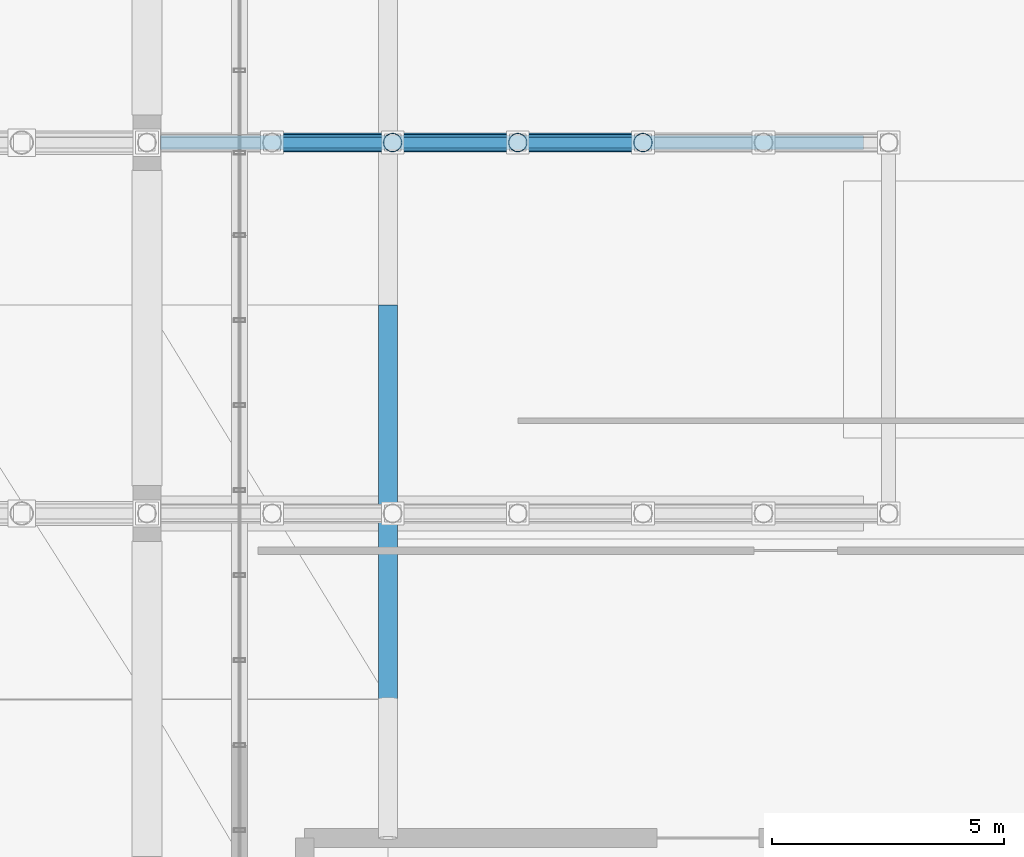
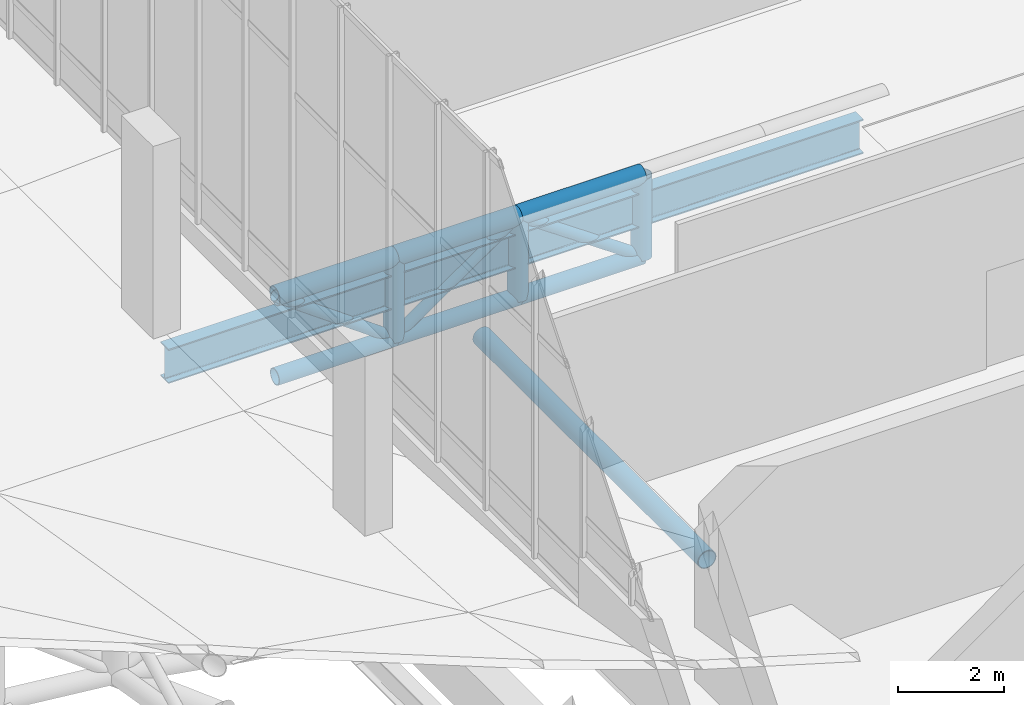
# One storey, part 18 of 137: 13 members, 1 beam.
"""IFC4 building model written with IfcOpenShell, lengths in metres."""

from ifc_helpers import new_model, si_unit, direction, frame, origin, origin_2d, place, context, subcontext, project, spatial, hollow_circle, i_section, extrude, material, material_profile, profile_set, type_object, element, save


model = new_model("IFC4")

# Units and contexts
model_context = context("Model", 3, precision=1e-05, world=origin(), true_north=direction((0.0, 1.0)))
body_context = subcontext(model_context, "Body", "Model", "MODEL_VIEW")
ifc_project = project(units=[si_unit("LENGTHUNIT", "METRE"), si_unit("AREAUNIT", "SQUARE_METRE"), si_unit("VOLUMEUNIT", "CUBIC_METRE"), si_unit("PLANEANGLEUNIT", "RADIAN"), si_unit("MASSUNIT", "GRAM", prefix="KILO")], contexts=[model_context])

# Site, building, storey
site_placement = place(None, origin())
site = spatial("IfcSite", under=ifc_project, at=site_placement, CompositionType="ELEMENT")
building_placement = place(site_placement, origin())
building = spatial("IfcBuilding", under=site, at=building_placement, Name="Khorjan Park Terminus", CompositionType="ELEMENT")
storey_placement = place(building_placement, frame((0.0, 0.0, 11.4)))
storey = spatial("IfcBuildingStorey", under=building, at=storey_placement, Name="L02", CompositionType="ELEMENT", Elevation=11.4)

# Beam
ifc_material = material(Name="Steel S355", Category="steel")
ifc_material_profile_1 = material_profile(ifc_material, i_section(OverallWidth=0.3, OverallDepth=0.79, WebThickness=0.015, FlangeThickness=0.028, FilletRadius=0.03, at=origin_2d()), Name="HEA 800")
ifc_profile_set_1 = profile_set([ifc_material_profile_1], Name="Steel S355")
beam_type = type_object("IfcBeamType", Name="BM-HEA800", PredefinedType="BEAM", material=ifc_profile_set_1)
beam_placement = place(storey_placement, frame((48.295, 52.0, -0.755), z_axis=(1.0, 0.0, 0.0), x_axis=(0.0, 1.0, 0.0)))
element("IfcBeam", 1, at=beam_placement, inside=storey, type_object=beam_type, Name="Primary floor girder SB-A80 (L02)", PredefinedType="BEAM", context=body_context, shape_type="SweptSolid", body=[
    extrude(i_section(OverallWidth=0.3, OverallDepth=0.79, WebThickness=0.015, FlangeThickness=0.028, FilletRadius=0.03, at=origin_2d()), origin(), (0.0, 0.0, 1.0), 15.16),
])

# Members
ifc_material_profile_2 = material_profile(ifc_material, hollow_circle(Radius=0.1222, WallThickness=0.0125, at=origin_2d()), Name="CHS 244.5x12.5")
ifc_profile_set_2 = profile_set([ifc_material_profile_2], Name="Steel S355")
member_type_1 = type_object("IfcMemberType", Name="MB-BR-245", PredefinedType="BRACE", material=ifc_profile_set_2)
member_1_placement = place(storey_placement, frame((50.7, 52.0, -0.05), z_axis=(0.811830357573, 0.0, -0.583893372562), x_axis=(0.0, 1.0, 0.0)))
element("IfcMember", 2, at=member_1_placement, inside=storey, type_object=member_type_1, Name="Lower shell W/E truss diagonal (W2)", PredefinedType="BRACE", context=body_context, shape_type="SweptSolid", body=[
    extrude(hollow_circle(Radius=0.1222, WallThickness=0.0125, at=origin_2d()), origin(), (0.0, 0.0, 1.0), 3.2026),
])
for number, where, z_axis, x_axis, name in (
    (3, (53.3, 52.0, -1.92), (0.822082565391, 0.0, 0.569368295289), (0.0, 1.0, 0.0), "Lower shell W/E truss diagonal (W2)"),
    (4, (56.0, 52.0, -0.05), (0.822082565391, 0.0, -0.569368295289), (0.0, 1.0, 0.0), "Lower shell W/E truss diagonal (W2)"),
):
    element("IfcMember", number, at=place(storey_placement, frame(where, z_axis=z_axis, x_axis=x_axis)), inside=storey, type_object=member_type_1, Name=name, PredefinedType="BRACE", context=body_context, shape_type="SweptSolid", body=[
        extrude(hollow_circle(Radius=0.1222, WallThickness=0.0125, at=origin_2d()), origin(), (0.0, 0.0, 1.0), 3.2843),
    ])
ifc_material_profile_3 = material_profile(ifc_material, hollow_circle(Radius=0.1778, WallThickness=0.016, at=origin_2d()), Name="CHS 355.6x16")
ifc_profile_set_3 = profile_set([ifc_material_profile_3], Name="Steel S355")
member_type_2 = type_object("IfcMemberType", Name="MB-CH-356", PredefinedType="CHORD", material=ifc_profile_set_3)
member_2_placement = place(storey_placement, frame((50.7, 52.0, -1.92), z_axis=(1.0, 0.0, 0.0), x_axis=(0.0, 1.0, 0.0)))
element("IfcMember", 5, at=member_2_placement, inside=storey, type_object=member_type_2, Name="Lower shell W/E truss bottom chord (W2)", PredefinedType="CHORD", context=body_context, shape_type="SweptSolid", body=[
    extrude(hollow_circle(Radius=0.1778, WallThickness=0.016, at=origin_2d()), origin(), (0.0, 0.0, 1.0), 2.6),
])
for number, where, z_axis, x_axis, name in (
    (6, (53.3, 52.0, -1.92), (1.0, 0.0, 0.0), (0.0, 1.0, 0.0), "Lower shell W/E truss bottom chord (W2)"),
    (7, (56.0, 52.0, -1.92), (1.0, 0.0, 0.0), (0.0, 1.0, 0.0), "Lower shell W/E truss bottom chord (W2)"),
):
    element("IfcMember", number, at=place(storey_placement, frame(where, z_axis=z_axis, x_axis=x_axis)), inside=storey, type_object=member_type_2, Name=name, PredefinedType="CHORD", context=body_context, shape_type="SweptSolid", body=[
        extrude(hollow_circle(Radius=0.1778, WallThickness=0.016, at=origin_2d()), origin(), (0.0, 0.0, 1.0), 2.7),
    ])
ifc_material_profile_4 = material_profile(ifc_material, hollow_circle(Radius=0.2032, WallThickness=0.016, at=origin_2d()), Name="CHS 406.4x16")
ifc_profile_set_4 = profile_set([ifc_material_profile_4], Name="Steel S355")
member_type_3 = type_object("IfcMemberType", Name="MB-CH-406", PredefinedType="CHORD", material=ifc_profile_set_4)
member_3_placement = place(storey_placement, frame((53.2, 40.0, 0.266), z_axis=(0.0, 1.0, 0.0), x_axis=(-1.0, 0.0, 0.0)))
element("IfcMember", 8, at=member_3_placement, inside=storey, type_object=member_type_3, Name="Lower wrapping shell rim chord (130)", PredefinedType="CHORD", context=body_context, shape_type="SweptSolid", body=[
    extrude(hollow_circle(Radius=0.2032, WallThickness=0.016, at=origin_2d()), origin(), (0.0, 0.0, 1.0), 8.5),
])
member_4_placement = place(storey_placement, frame((50.7, 52.0, -0.05), z_axis=(1.0, 0.0, 0.0), x_axis=(0.0, 1.0, 0.0)))
element("IfcMember", 9, at=member_4_placement, inside=storey, type_object=member_type_3, Name="Lower shell W/E truss top chord (W2)", PredefinedType="CHORD", context=body_context, shape_type="SweptSolid", body=[
    extrude(hollow_circle(Radius=0.2032, WallThickness=0.016, at=origin_2d()), origin(), (0.0, 0.0, 1.0), 2.6),
])
for number, where, z_axis, x_axis, name in (
    (10, (53.3, 52.0, -0.05), (1.0, 0.0, 0.0), (0.0, 1.0, 0.0), "Lower shell W/E truss top chord (W2)"),
    (11, (56.0, 52.0, -0.05), (1.0, 0.0, 0.0), (0.0, 1.0, 0.0), "Lower shell W/E truss top chord (W2)"),
):
    element("IfcMember", number, at=place(storey_placement, frame(where, z_axis=z_axis, x_axis=x_axis)), inside=storey, type_object=member_type_3, Name=name, PredefinedType="CHORD", context=body_context, shape_type="SweptSolid", body=[
        extrude(hollow_circle(Radius=0.2032, WallThickness=0.016, at=origin_2d()), origin(), (0.0, 0.0, 1.0), 2.7),
    ])
ifc_material_profile_5 = material_profile(ifc_material, hollow_circle(Radius=0.2032, WallThickness=0.016, at=origin_2d()), Name="CHS 406.4x16")
ifc_profile_set_5 = profile_set([ifc_material_profile_5], Name="Steel S355")
member_type_4 = type_object("IfcMemberType", Name="MB-ST-406", PredefinedType="STRUT", material=ifc_profile_set_5)
for number, where, z_axis, x_axis, name in (
    (12, (53.3, 52.0, -1.92), (0.0, 0.0, 1.0), (1.0, 0.0, 0.0), "Lower shell W/E truss post (W2)"),
    (13, (56.0, 52.0, -1.92), (0.0, 0.0, 1.0), (1.0, 0.0, 0.0), "Lower shell W/E truss post (W2)"),
    (14, (58.7, 52.0, -1.92), (0.0, 0.0, 1.0), (1.0, 0.0, 0.0), "Lower shell W/E truss post (W2)"),
):
    element("IfcMember", number, at=place(storey_placement, frame(where, z_axis=z_axis, x_axis=x_axis)), inside=storey, type_object=member_type_4, Name=name, PredefinedType="STRUT", context=body_context, shape_type="SweptSolid", body=[
        extrude(hollow_circle(Radius=0.2032, WallThickness=0.016, at=origin_2d()), origin(), (0.0, 0.0, 1.0), 1.87),
    ])

save(model, "model.ifc")
